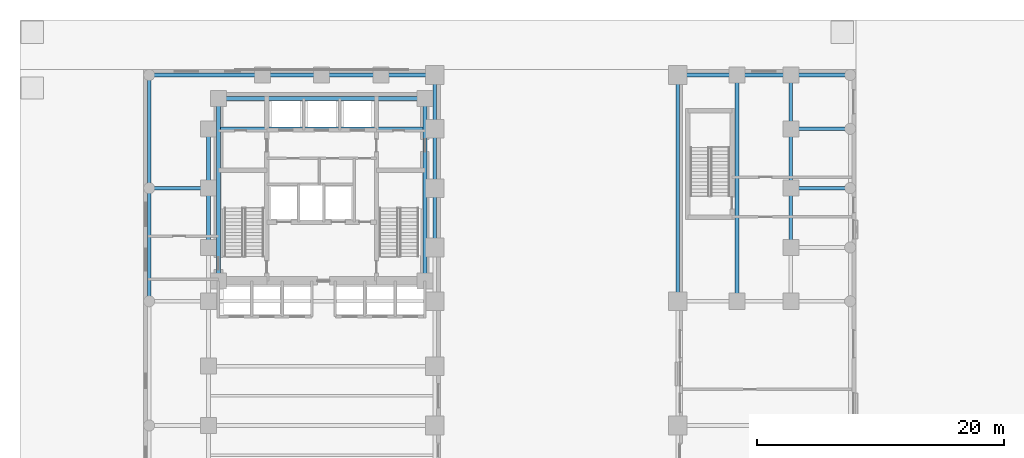
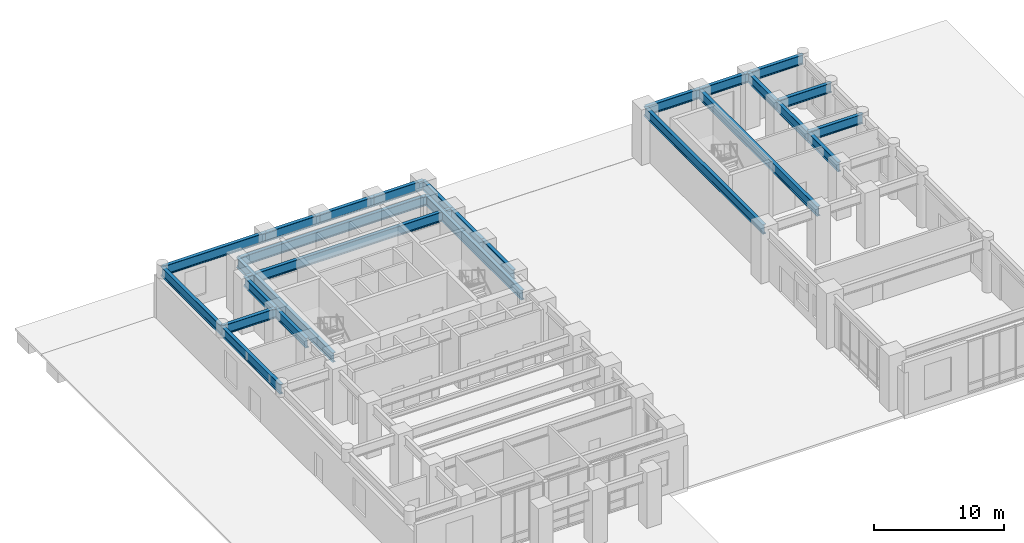
# One storey, part 4 of 16: 26 beams.
"""IFC4 building model written with IfcOpenShell, lengths in metres."""

from ifc_helpers import new_model, si_unit, direction, frame, origin, origin_2d, place, context, subcontext, project, spatial, i_section, extrude, material, material_profile, profile_set, type_object, element, save


model = new_model("IFC4")

# Units and contexts
model_context = context("Model", 3, precision=1e-05, world=origin(), true_north=direction((0.0, 1.0)))
body_context = subcontext(model_context, "Body", "Model", "MODEL_VIEW")
ifc_project = project(units=[si_unit("LENGTHUNIT", "METRE"), si_unit("AREAUNIT", "SQUARE_METRE"), si_unit("VOLUMEUNIT", "CUBIC_METRE"), si_unit("PLANEANGLEUNIT", "RADIAN"), si_unit("MASSUNIT", "GRAM", prefix="KILO")], contexts=[model_context])

# Site, building, storey
site_placement = place(None, origin())
site = spatial("IfcSite", under=ifc_project, at=site_placement, CompositionType="ELEMENT")
building_placement = place(site_placement, origin())
building = spatial("IfcBuilding", under=site, at=building_placement, Name="Orvandelia Arch Residences", CompositionType="ELEMENT")
storey_placement = place(building_placement, origin())
storey = spatial("IfcBuildingStorey", under=building, at=storey_placement, Name="L00", CompositionType="ELEMENT", Elevation=0.0)

# Beams
ifc_material = material(Name="Structural Steel HSA650 (650 MPa)", Category="steel")
ifc_material_profile = material_profile(ifc_material, i_section(OverallWidth=0.300048828125, OverallDepth=0.89990234375, WebThickness=0.01611328125, FlangeThickness=0.028076171875, FilletRadius=0.028076171875, at=origin_2d()), Name="Structural Steel HSA650 (650 MPa)", Category="steel")
ifc_profile_set = profile_set([ifc_material_profile], Name="Structural Steel HSA650 (650 MPa)")
beam_type = type_object("IfcBeamType", Name="BM-GRD-H900", PredefinedType="BEAM", material=ifc_profile_set)
beam_1_placement = place(storey_placement, frame((0.449951171875, 29.25, 4.43994140625), z_axis=(0.0, 1.0, 0.0), x_axis=(-1.0, 0.0, 0.0)))
element("IfcBeam", 1, at=beam_1_placement, inside=storey, type_object=beam_type, Name="Structural Frame Beam L00-NS-003", PredefinedType="BEAM", context=body_context, shape_type="SweptSolid", body=[
    extrude(i_section(OverallWidth=0.300048828125, OverallDepth=0.89990234375, WebThickness=0.01611328125, FlangeThickness=0.028076171875, FilletRadius=0.028076171875, at=origin_2d()), origin(), (0.0, 0.0, 1.0), 9.14990234375),
])
beam_2_placement = place(storey_placement, frame((0.449951171875, 38.39990234375, 4.43994140625), z_axis=(0.0, 1.0, 0.0), x_axis=(-1.0, 0.0, 0.0)))
element("IfcBeam", 2, at=beam_2_placement, inside=storey, type_object=beam_type, Name="Structural Frame Beam L00-NS-004", PredefinedType="BEAM", context=body_context, shape_type="SweptSolid", body=[
    extrude(i_section(OverallWidth=0.300048828125, OverallDepth=0.89990234375, WebThickness=0.01611328125, FlangeThickness=0.028076171875, FilletRadius=0.028076171875, at=origin_2d()), origin(), (0.0, 0.0, 1.0), 9.150146484375),
])
beam_3_placement = place(storey_placement, frame((5.25, 33.60009765625, 4.43994140625), z_axis=(0.0, 1.0, 0.0), x_axis=(-1.0, 0.0, 0.0)))
element("IfcBeam", 3, at=beam_3_placement, inside=storey, type_object=beam_type, Name="Structural Frame Beam L00-NS-010", PredefinedType="BEAM", context=body_context, shape_type="SweptSolid", body=[
    extrude(i_section(OverallWidth=0.300048828125, OverallDepth=0.89990234375, WebThickness=0.01611328125, FlangeThickness=0.028076171875, FilletRadius=0.028076171875, at=origin_2d()), origin(), (0.0, 0.0, 1.0), 4.7998046875),
])
beam_4_placement = place(storey_placement, frame((5.25, 38.39990234375, 4.43994140625), z_axis=(0.0, 1.0, 0.0), x_axis=(-1.0, 0.0, 0.0)))
element("IfcBeam", 4, at=beam_4_placement, inside=storey, type_object=beam_type, Name="Structural Frame Beam L00-NS-011", PredefinedType="BEAM", context=body_context, shape_type="SweptSolid", body=[
    extrude(i_section(OverallWidth=0.300048828125, OverallDepth=0.89990234375, WebThickness=0.01611328125, FlangeThickness=0.028076171875, FilletRadius=0.028076171875, at=origin_2d()), origin(), (0.0, 0.0, 1.0), 4.800048828125),
])
for number, where, z_axis, x_axis, name in (
    (5, (6.050048828125, 30.89990234375, 4.43994140625), (0.0, 1.0, 0.0), (-1.0, 0.0, 0.0), "Structural Frame Beam L00-NS-012"),
    (6, (22.75, 30.89990234375, 4.43994140625), (0.0, 1.0, 0.0), (-1.0, 0.0, 0.0), "Structural Frame Beam L00-NS-013"),
):
    element("IfcBeam", number, at=place(storey_placement, frame(where, z_axis=z_axis, x_axis=x_axis)), inside=storey, type_object=beam_type, Name=name, PredefinedType="BEAM", context=body_context, shape_type="SweptSolid", body=[
        extrude(i_section(OverallWidth=0.300048828125, OverallDepth=0.89990234375, WebThickness=0.01611328125, FlangeThickness=0.028076171875, FilletRadius=0.028076171875, at=origin_2d()), origin(), (0.0, 0.0, 1.0), 14.75),
    ])
beam_5_placement = place(storey_placement, frame((23.550048828125, 33.60009765625, 4.43994140625), z_axis=(0.0, 1.0, 0.0), x_axis=(-1.0, 0.0, 0.0)))
element("IfcBeam", 7, at=beam_5_placement, inside=storey, type_object=beam_type, Name="Structural Frame Beam L00-NS-019", PredefinedType="BEAM", context=body_context, shape_type="SweptSolid", body=[
    extrude(i_section(OverallWidth=0.300048828125, OverallDepth=0.89990234375, WebThickness=0.01611328125, FlangeThickness=0.028076171875, FilletRadius=0.028076171875, at=origin_2d()), origin(), (0.0, 0.0, 1.0), 4.7998046875),
])
beam_6_placement = place(storey_placement, frame((23.550048828125, 38.39990234375, 4.43994140625), z_axis=(0.0, 1.0, 0.0), x_axis=(-1.0, 0.0, 0.0)))
element("IfcBeam", 8, at=beam_6_placement, inside=storey, type_object=beam_type, Name="Structural Frame Beam L00-NS-020", PredefinedType="BEAM", context=body_context, shape_type="SweptSolid", body=[
    extrude(i_section(OverallWidth=0.300048828125, OverallDepth=0.89990234375, WebThickness=0.01611328125, FlangeThickness=0.028076171875, FilletRadius=0.028076171875, at=origin_2d()), origin(), (0.0, 0.0, 1.0), 4.800048828125),
])
beam_7_placement = place(storey_placement, frame((23.550048828125, 43.199951171875, 4.43994140625), z_axis=(0.0, 1.0, 0.0), x_axis=(-1.0, 0.0, 0.0)))
element("IfcBeam", 9, at=beam_7_placement, inside=storey, type_object=beam_type, Name="Structural Frame Beam L00-NS-021", PredefinedType="BEAM", context=body_context, shape_type="SweptSolid", body=[
    extrude(i_section(OverallWidth=0.300048828125, OverallDepth=0.89990234375, WebThickness=0.01611328125, FlangeThickness=0.028076171875, FilletRadius=0.028076171875, at=origin_2d()), origin(), (0.0, 0.0, 1.0), 4.35009765625),
])
for number, where, z_axis, x_axis, name in (
    (10, (43.199951171875, 29.25, 4.43994140625), (0.0, 1.0, 0.0), (-1.0, 0.0, 0.0), "Structural Frame Beam L00-NS-024"),
    (11, (48.0, 29.25, 4.43994140625), (0.0, 1.0, 0.0), (-1.0, 0.0, 0.0), "Structural Frame Beam L00-NS-025"),
):
    element("IfcBeam", number, at=place(storey_placement, frame(where, z_axis=z_axis, x_axis=x_axis)), inside=storey, type_object=beam_type, Name=name, PredefinedType="BEAM", context=body_context, shape_type="SweptSolid", body=[
        extrude(i_section(OverallWidth=0.300048828125, OverallDepth=0.89990234375, WebThickness=0.01611328125, FlangeThickness=0.028076171875, FilletRadius=0.028076171875, at=origin_2d()), origin(), (0.0, 0.0, 1.0), 18.300048828125),
    ])
beam_8_placement = place(storey_placement, frame((52.35009765625, 33.60009765625, 4.43994140625), z_axis=(0.0, 1.0, 0.0), x_axis=(-1.0, 0.0, 0.0)))
element("IfcBeam", 12, at=beam_8_placement, inside=storey, type_object=beam_type, Name="Structural Frame Beam L00-NS-027", PredefinedType="BEAM", context=body_context, shape_type="SweptSolid", body=[
    extrude(i_section(OverallWidth=0.300048828125, OverallDepth=0.89990234375, WebThickness=0.01611328125, FlangeThickness=0.028076171875, FilletRadius=0.028076171875, at=origin_2d()), origin(), (0.0, 0.0, 1.0), 4.7998046875),
])
beam_9_placement = place(storey_placement, frame((52.35009765625, 38.39990234375, 4.43994140625), z_axis=(0.0, 1.0, 0.0), x_axis=(-1.0, 0.0, 0.0)))
element("IfcBeam", 13, at=beam_9_placement, inside=storey, type_object=beam_type, Name="Structural Frame Beam L00-NS-028", PredefinedType="BEAM", context=body_context, shape_type="SweptSolid", body=[
    extrude(i_section(OverallWidth=0.300048828125, OverallDepth=0.89990234375, WebThickness=0.01611328125, FlangeThickness=0.028076171875, FilletRadius=0.028076171875, at=origin_2d()), origin(), (0.0, 0.0, 1.0), 4.800048828125),
])
beam_10_placement = place(storey_placement, frame((52.35009765625, 43.199951171875, 4.43994140625), z_axis=(0.0, 1.0, 0.0), x_axis=(-1.0, 0.0, 0.0)))
element("IfcBeam", 14, at=beam_10_placement, inside=storey, type_object=beam_type, Name="Structural Frame Beam L00-NS-029", PredefinedType="BEAM", context=body_context, shape_type="SweptSolid", body=[
    extrude(i_section(OverallWidth=0.300048828125, OverallDepth=0.89990234375, WebThickness=0.01611328125, FlangeThickness=0.028076171875, FilletRadius=0.028076171875, at=origin_2d()), origin(), (0.0, 0.0, 1.0), 4.35009765625),
])
beam_11_placement = place(storey_placement, frame((0.449951171875, 38.39990234375, 4.43994140625), z_axis=(1.0, 0.0, 0.0), x_axis=(0.0, 1.0, 0.0)))
element("IfcBeam", 15, at=beam_11_placement, inside=storey, type_object=beam_type, Name="Structural Frame Girder L00-EW-054", PredefinedType="BEAM", context=body_context, shape_type="SweptSolid", body=[
    extrude(i_section(OverallWidth=0.300048828125, OverallDepth=0.89990234375, WebThickness=0.01611328125, FlangeThickness=0.028076171875, FilletRadius=0.028076171875, at=origin_2d()), origin(), (0.0, 0.0, 1.0), 4.800048828125),
])
beam_12_placement = place(storey_placement, frame((52.35009765625, 38.39990234375, 4.43994140625), z_axis=(1.0, 0.0, 0.0), x_axis=(0.0, 1.0, 0.0)))
element("IfcBeam", 16, at=beam_12_placement, inside=storey, type_object=beam_type, Name="Structural Frame Girder L00-EW-056", PredefinedType="BEAM", context=body_context, shape_type="SweptSolid", body=[
    extrude(i_section(OverallWidth=0.300048828125, OverallDepth=0.89990234375, WebThickness=0.01611328125, FlangeThickness=0.028076171875, FilletRadius=0.028076171875, at=origin_2d()), origin(), (0.0, 0.0, 1.0), 4.7998046875),
])
beam_13_placement = place(storey_placement, frame((5.25, 43.199951171875, 4.43994140625), z_axis=(1.0, 0.0, 0.0), x_axis=(0.0, 1.0, 0.0)))
element("IfcBeam", 17, at=beam_13_placement, inside=storey, type_object=beam_type, Name="Structural Frame Girder L00-EW-057", PredefinedType="BEAM", context=body_context, shape_type="SweptSolid", body=[
    extrude(i_section(OverallWidth=0.300048828125, OverallDepth=0.89990234375, WebThickness=0.01611328125, FlangeThickness=0.028076171875, FilletRadius=0.028076171875, at=origin_2d()), origin(), (0.0, 0.0, 1.0), 18.300048828125),
])
beam_14_placement = place(storey_placement, frame((52.35009765625, 43.199951171875, 4.43994140625), z_axis=(1.0, 0.0, 0.0), x_axis=(0.0, 1.0, 0.0)))
element("IfcBeam", 18, at=beam_14_placement, inside=storey, type_object=beam_type, Name="Structural Frame Girder L00-EW-058", PredefinedType="BEAM", context=body_context, shape_type="SweptSolid", body=[
    extrude(i_section(OverallWidth=0.300048828125, OverallDepth=0.89990234375, WebThickness=0.01611328125, FlangeThickness=0.028076171875, FilletRadius=0.028076171875, at=origin_2d()), origin(), (0.0, 0.0, 1.0), 4.7998046875),
])
beam_15_placement = place(storey_placement, frame((6.050048828125, 45.64990234375, 4.43994140625), z_axis=(1.0, 0.0, 0.0), x_axis=(0.0, 1.0, 0.0)))
element("IfcBeam", 19, at=beam_15_placement, inside=storey, type_object=beam_type, Name="Structural Frame Girder L00-EW-059", PredefinedType="BEAM", context=body_context, shape_type="SweptSolid", body=[
    extrude(i_section(OverallWidth=0.300048828125, OverallDepth=0.89990234375, WebThickness=0.01611328125, FlangeThickness=0.028076171875, FilletRadius=0.028076171875, at=origin_2d()), origin(), (0.0, 0.0, 1.0), 16.699951171875),
])
beam_16_placement = place(storey_placement, frame((0.449951171875, 47.550048828125, 4.43994140625), z_axis=(1.0, 0.0, 0.0), x_axis=(0.0, 1.0, 0.0)))
element("IfcBeam", 20, at=beam_16_placement, inside=storey, type_object=beam_type, Name="Structural Frame Girder L00-EW-060", PredefinedType="BEAM", context=body_context, shape_type="SweptSolid", body=[
    extrude(i_section(OverallWidth=0.300048828125, OverallDepth=0.89990234375, WebThickness=0.01611328125, FlangeThickness=0.028076171875, FilletRadius=0.028076171875, at=origin_2d()), origin(), (0.0, 0.0, 1.0), 9.150146484375),
])
beam_17_placement = place(storey_placement, frame((9.60009765625, 47.550048828125, 4.43994140625), z_axis=(1.0, 0.0, 0.0), x_axis=(0.0, 1.0, 0.0)))
element("IfcBeam", 21, at=beam_17_placement, inside=storey, type_object=beam_type, Name="Structural Frame Girder L00-EW-061", PredefinedType="BEAM", context=body_context, shape_type="SweptSolid", body=[
    extrude(i_section(OverallWidth=0.300048828125, OverallDepth=0.89990234375, WebThickness=0.01611328125, FlangeThickness=0.028076171875, FilletRadius=0.028076171875, at=origin_2d()), origin(), (0.0, 0.0, 1.0), 4.7998046875),
])
beam_18_placement = place(storey_placement, frame((14.39990234375, 47.550048828125, 4.43994140625), z_axis=(1.0, 0.0, 0.0), x_axis=(0.0, 1.0, 0.0)))
element("IfcBeam", 22, at=beam_18_placement, inside=storey, type_object=beam_type, Name="Structural Frame Girder L00-EW-062", PredefinedType="BEAM", context=body_context, shape_type="SweptSolid", body=[
    extrude(i_section(OverallWidth=0.300048828125, OverallDepth=0.89990234375, WebThickness=0.01611328125, FlangeThickness=0.028076171875, FilletRadius=0.028076171875, at=origin_2d()), origin(), (0.0, 0.0, 1.0), 4.800048828125),
])
beam_19_placement = place(storey_placement, frame((19.199951171875, 47.550048828125, 4.43994140625), z_axis=(1.0, 0.0, 0.0), x_axis=(0.0, 1.0, 0.0)))
element("IfcBeam", 23, at=beam_19_placement, inside=storey, type_object=beam_type, Name="Structural Frame Girder L00-EW-063", PredefinedType="BEAM", context=body_context, shape_type="SweptSolid", body=[
    extrude(i_section(OverallWidth=0.300048828125, OverallDepth=0.89990234375, WebThickness=0.01611328125, FlangeThickness=0.028076171875, FilletRadius=0.028076171875, at=origin_2d()), origin(), (0.0, 0.0, 1.0), 4.35009765625),
])
beam_20_placement = place(storey_placement, frame((43.199951171875, 47.550048828125, 4.43994140625), z_axis=(1.0, 0.0, 0.0), x_axis=(0.0, 1.0, 0.0)))
element("IfcBeam", 24, at=beam_20_placement, inside=storey, type_object=beam_type, Name="Structural Frame Girder L00-EW-064", PredefinedType="BEAM", context=body_context, shape_type="SweptSolid", body=[
    extrude(i_section(OverallWidth=0.300048828125, OverallDepth=0.89990234375, WebThickness=0.01611328125, FlangeThickness=0.028076171875, FilletRadius=0.028076171875, at=origin_2d()), origin(), (0.0, 0.0, 1.0), 4.800048828125),
])
beam_21_placement = place(storey_placement, frame((48.0, 47.550048828125, 4.43994140625), z_axis=(1.0, 0.0, 0.0), x_axis=(0.0, 1.0, 0.0)))
element("IfcBeam", 25, at=beam_21_placement, inside=storey, type_object=beam_type, Name="Structural Frame Girder L00-EW-065", PredefinedType="BEAM", context=body_context, shape_type="SweptSolid", body=[
    extrude(i_section(OverallWidth=0.300048828125, OverallDepth=0.89990234375, WebThickness=0.01611328125, FlangeThickness=0.028076171875, FilletRadius=0.028076171875, at=origin_2d()), origin(), (0.0, 0.0, 1.0), 4.35009765625),
])
beam_22_placement = place(storey_placement, frame((52.35009765625, 47.550048828125, 4.43994140625), z_axis=(1.0, 0.0, 0.0), x_axis=(0.0, 1.0, 0.0)))
element("IfcBeam", 26, at=beam_22_placement, inside=storey, type_object=beam_type, Name="Structural Frame Girder L00-EW-066", PredefinedType="BEAM", context=body_context, shape_type="SweptSolid", body=[
    extrude(i_section(OverallWidth=0.300048828125, OverallDepth=0.89990234375, WebThickness=0.01611328125, FlangeThickness=0.028076171875, FilletRadius=0.028076171875, at=origin_2d()), origin(), (0.0, 0.0, 1.0), 4.7998046875),
])

save(model, "model.ifc")
